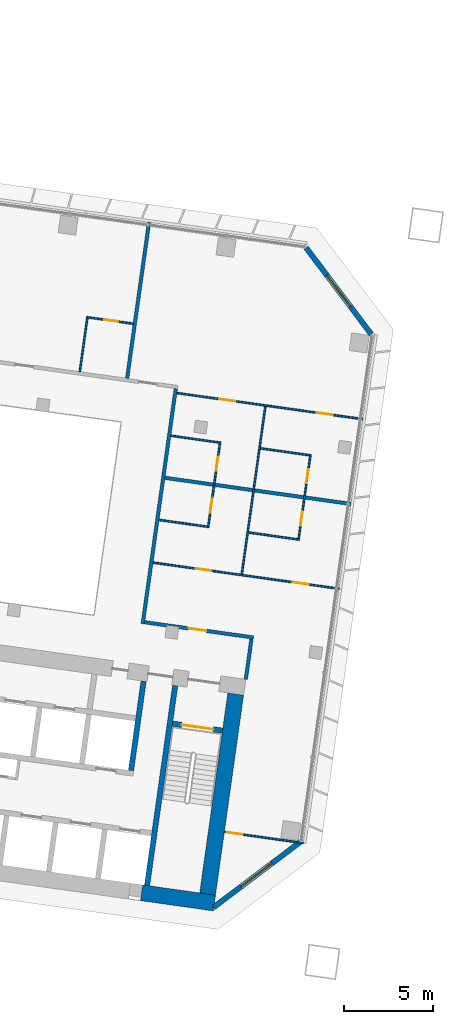
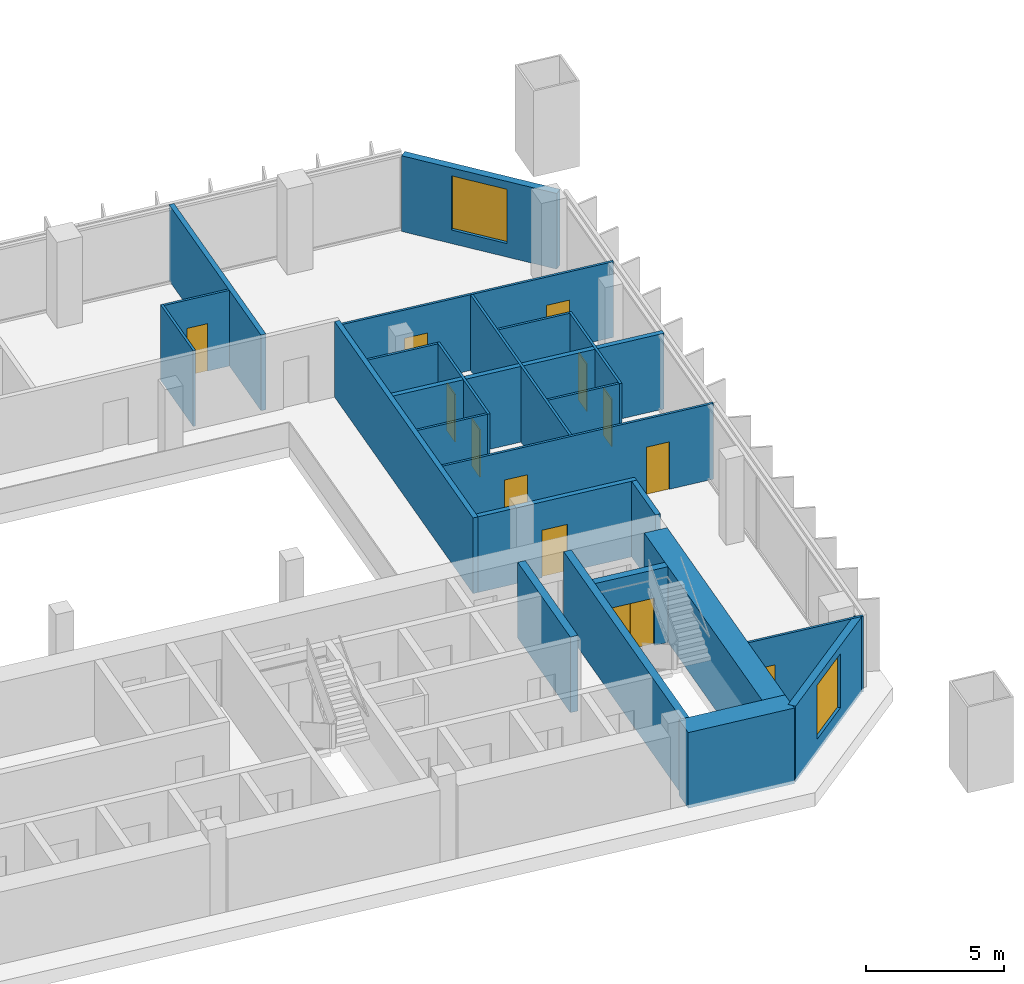
# One storey, part 17 of 24: 24 walls, 12 doors, 2 windows, 14 openings.
"""IFC4 building model written with IfcOpenShell, lengths in metres."""

from ifc_helpers import new_model, si_unit, direction, frame, frame_2d, origin, place, context, subcontext, project, spatial, rectangle, extrude, material, layer, layer_set, type_object, element, fill, save


model = new_model("IFC4")

# Units and contexts
model_context = context("Model", 3, precision=1e-05, world=origin(), true_north=direction((0.0, 1.0)))
body_context = subcontext(model_context, "Body", "Model", "MODEL_VIEW")
ifc_project = project(units=[si_unit("LENGTHUNIT", "METRE"), si_unit("AREAUNIT", "SQUARE_METRE"), si_unit("VOLUMEUNIT", "CUBIC_METRE"), si_unit("PLANEANGLEUNIT", "RADIAN"), si_unit("MASSUNIT", "GRAM", prefix="KILO")], contexts=[model_context])

# Site, building, storey
site_placement = place(None, origin())
site = spatial("IfcSite", under=ifc_project, at=site_placement, CompositionType="ELEMENT")
building_placement = place(site_placement, origin())
building = spatial("IfcBuilding", under=site, at=building_placement, Name="Mirante Cascada Hotel Towers", CompositionType="ELEMENT")
storey_placement = place(building_placement, frame((0.0, 0.0, 50.9)))
storey = spatial("IfcBuildingStorey", under=building, at=storey_placement, Name="L09", CompositionType="ELEMENT", Elevation=50.9)

# Wall, opening, door
ifc_material_1 = material(Name="Fire-rated plasterboard on metal studs")
ifc_layer_1 = layer(ifc_material_1, 0.2)
ifc_layer_set_1 = layer_set([ifc_layer_1], Name="Compartment wall 200 EI 120")
wall_type_1 = type_object("IfcWallType", Name="Compartment wall 200 EI 120", PredefinedType="PARTITIONING", material=ifc_layer_set_1)
wall_1_placement = place(storey_placement, frame((-34.8304, -4.7545, 0.0), z_axis=(0.0, 0.0, 1.0), x_axis=(-0.9902695, 0.1391629, 0.0)))
wall_1 = element("IfcWall", 1, at=wall_1_placement, inside=storey, type_object=wall_type_1, Name="Wall 1-L09-04", PredefinedType="PARTITIONING", context=body_context, shape_type="SweptSolid", body=[
    extrude(rectangle(XDim=6.1999, YDim=0.2, at=frame_2d((3.1, 0.0))), origin(), (0.0, 0.0, 1.0), 3.35),
])
opening_1_placement = place(wall_1_placement, frame((2.7, 0.0, 0.0)))
opening_1 = element("IfcOpeningElement", 2, at=opening_1_placement, cuts=wall_1, Name="Opening D1-L09-05", PredefinedType="OPENING", context=body_context, shape_type="SweptSolid", body=[
    extrude(rectangle(XDim=1.0, YDim=2.1, at=frame_2d((0.5, 1.05))), frame((0.0, 0.1, 0.0), z_axis=(0.0, -1.0, 0.0), x_axis=(1.0, 0.0, 0.0)), (0.0, 0.0, 1.0), 0.2),
])
ifc_material_2 = material(Name="Fire-rated timber door leaf", Category="wood")
door_type_1 = type_object("IfcDoorType", Name="Entrance door DG1 1000x2100 EI 60", OperationType="SINGLE_SWING_LEFT", PredefinedType="DOOR", material=ifc_material_2)
door_1_placement = place(opening_1_placement, origin())
door_1 = element("IfcDoor", 3, at=door_1_placement, inside=storey, type_object=door_type_1, Name="Door D1-L09-05", OperationType="SINGLE_SWING_LEFT", OverallHeight=2.1, OverallWidth=1.0, PredefinedType="DOOR", context=body_context, shape_type="SweptSolid", body=[
    extrude(rectangle(XDim=1.0, YDim=2.1, at=frame_2d((0.5, 1.05))), frame((0.0, 0.025, 0.0), z_axis=(0.0, -1.0, 0.0), x_axis=(1.0, 0.0, 0.0)), (0.0, 0.0, 1.0), 0.05),
])
fill(opening_1, door_1)

# Walls
wall_2_placement = place(storey_placement, frame((-39.8242, 4.2615, 0.0), z_axis=(0.0, 0.0, 1.0), x_axis=(0.9902686, -0.1391691, 0.0)))
element("IfcWall", 4, at=wall_2_placement, inside=storey, type_object=wall_type_1, Name="Wall 1-L09-11", PredefinedType="PARTITIONING", context=body_context, shape_type="SweptSolid", body=[
    extrude(rectangle(XDim=10.6001, YDim=0.2, at=frame_2d((5.3, 0.0))), origin(), (0.0, 0.0, 1.0), 3.35),
])
wall_3_placement = place(storey_placement, frame((-34.9433, -4.8397, 0.0), z_axis=(0.0, 0.0, 1.0), x_axis=(-0.1391749, -0.9902678, 0.0)))
element("IfcWall", 5, at=wall_3_placement, inside=storey, type_object=wall_type_1, Name="Wall 1-L09-29", PredefinedType="PARTITIONING", context=body_context, shape_type="SweptSolid", body=[
    extrude(rectangle(XDim=2.3, YDim=0.2, at=frame_2d((1.15, 0.0))), origin(), (0.0, 0.0, 1.0), 3.35),
])
wall_4_placement = place(storey_placement, frame((-41.083, -3.9768, 0.0), z_axis=(0.0, 0.0, 1.0), x_axis=(0.1391716, 0.9902683, 0.0)))
element("IfcWall", 6, at=wall_4_placement, inside=storey, type_object=wall_type_1, Name="Wall 1-L09-32", PredefinedType="PARTITIONING", context=body_context, shape_type="SweptSolid", body=[
    extrude(rectangle(XDim=13.4, YDim=0.2, at=frame_2d((6.7, 0.0))), origin(), (0.0, 0.0, 1.0), 3.35),
])
wall_5_placement = place(storey_placement, frame((-40.7243, 18.6939, 0.0), z_axis=(0.0, 0.0, 1.0), x_axis=(-0.1391794, -0.9902672, 0.0)))
element("IfcWall", 7, at=wall_5_placement, inside=storey, type_object=wall_type_1, Name="Wall 1-L09-33", PredefinedType="PARTITIONING", context=body_context, shape_type="SweptSolid", body=[
    extrude(rectangle(XDim=8.9, YDim=0.2, at=frame_2d((4.45, 0.0))), origin(), (0.0, 0.0, 1.0), 3.35),
])

# Wall, opening, door
ifc_material_3 = material(Name="Plasterboard on metal studs")
ifc_layer_2 = layer(ifc_material_3, 0.1)
ifc_layer_set_2 = layer_set([ifc_layer_2], Name="Partition 100")
wall_type_2 = type_object("IfcWallType", Name="Partition 100", PredefinedType="PARTITIONING", material=ifc_layer_set_2)
wall_6_placement = place(storey_placement, frame((-36.4742, -15.7326, 0.0), z_axis=(0.0, 0.0, 1.0), x_axis=(0.9902674, -0.1391779, 0.0)))
wall_6 = element("IfcWall", 8, at=wall_6_placement, inside=storey, type_object=wall_type_2, Name="Wall 1-L09-01", PredefinedType="PARTITIONING", context=body_context, shape_type="SweptSolid", body=[
    extrude(rectangle(XDim=4.5, YDim=0.1, at=frame_2d((2.25, 0.0))), origin(), (0.0, 0.0, 1.0), 3.35),
])
opening_2_placement = place(wall_6_placement, frame((0.15, 0.0, 0.0)))
opening_2 = element("IfcOpeningElement", 9, at=opening_2_placement, cuts=wall_6, Name="Opening D1-L09-01", PredefinedType="OPENING", context=body_context, shape_type="SweptSolid", body=[
    extrude(rectangle(XDim=0.9, YDim=2.1, at=frame_2d((0.45, 1.05))), frame((0.0, 0.05, 0.0), z_axis=(0.0, -1.0, 0.0), x_axis=(1.0, 0.0, 0.0)), (0.0, 0.0, 1.0), 0.1),
])
ifc_material_4 = material(Name="Timber door leaf", Category="wood")
door_type_2 = type_object("IfcDoorType", Name="Room door DG3 900x2100", OperationType="SINGLE_SWING_LEFT", PredefinedType="DOOR", material=ifc_material_4)
door_2_placement = place(opening_2_placement, origin())
door_2 = element("IfcDoor", 10, at=door_2_placement, inside=storey, type_object=door_type_2, Name="Door D1-L09-01", OperationType="SINGLE_SWING_LEFT", OverallHeight=2.1, OverallWidth=0.9, PredefinedType="DOOR", context=body_context, shape_type="SweptSolid", body=[
    extrude(rectangle(XDim=0.9, YDim=2.1, at=frame_2d((0.45, 1.05))), frame((0.0, 0.025, 0.0), z_axis=(0.0, -1.0, 0.0), x_axis=(1.0, 0.0, 0.0)), (0.0, 0.0, 1.0), 0.05),
])
fill(opening_2, door_2)

# Wall, openings, doors
wall_7_placement = place(storey_placement, frame((-40.4968, -0.5248, 0.0), z_axis=(0.0, 0.0, 1.0), x_axis=(0.9902684, -0.1391704, 0.0)))
wall_7 = element("IfcWall", 11, at=wall_7_placement, inside=storey, type_object=wall_type_2, Name="Wall 1-L09-07", PredefinedType="PARTITIONING", context=body_context, shape_type="SweptSolid", body=[
    extrude(rectangle(XDim=10.6, YDim=0.1, at=frame_2d((5.3, 0.0))), origin(), (0.0, 0.0, 1.0), 3.35),
])
opening_3_placement = place(wall_7_placement, frame((7.975, 0.0, 0.0)))
opening_3 = element("IfcOpeningElement", 12, at=opening_3_placement, cuts=wall_7, Name="Opening D1-L09-06", PredefinedType="OPENING", context=body_context, shape_type="SweptSolid", body=[
    extrude(rectangle(XDim=0.9, YDim=2.1, at=frame_2d((0.45, 1.05))), frame((0.0, 0.05, 0.0), z_axis=(0.0, -1.0, 0.0), x_axis=(1.0, 0.0, 0.0)), (0.0, 0.0, 1.0), 0.1),
])
opening_4_placement = place(wall_7_placement, frame((2.425, 0.0, 0.0)))
opening_4 = element("IfcOpeningElement", 13, at=opening_4_placement, cuts=wall_7, Name="Opening D1-L09-07", PredefinedType="OPENING", context=body_context, shape_type="SweptSolid", body=[
    extrude(rectangle(XDim=0.9, YDim=2.1, at=frame_2d((0.45, 1.05))), frame((0.0, 0.05, 0.0), z_axis=(0.0, -1.0, 0.0), x_axis=(1.0, 0.0, 0.0)), (0.0, 0.0, 1.0), 0.1),
])
door_3_placement = place(opening_3_placement, frame((0.9, 0.0, 0.0), z_axis=(0.0, 0.0, 1.0), x_axis=(-1.0, 0.0, 0.0)))
door_3 = element("IfcDoor", 14, at=door_3_placement, inside=storey, type_object=door_type_2, Name="Door D1-L09-06", OperationType="SINGLE_SWING_RIGHT", OverallHeight=2.1, OverallWidth=0.9, PredefinedType="DOOR", context=body_context, shape_type="SweptSolid", body=[
    extrude(rectangle(XDim=0.9, YDim=2.1, at=frame_2d((0.45, 1.05))), frame((0.0, 0.025, 0.0), z_axis=(0.0, -1.0, 0.0), x_axis=(1.0, 0.0, 0.0)), (0.0, 0.0, 1.0), 0.05),
])
fill(opening_3, door_3)
door_4_placement = place(opening_4_placement, frame((0.9, 0.0, 0.0), z_axis=(0.0, 0.0, 1.0), x_axis=(-1.0, 0.0, 0.0)))
door_4 = element("IfcDoor", 15, at=door_4_placement, inside=storey, type_object=door_type_2, Name="Door D1-L09-07", OperationType="SINGLE_SWING_RIGHT", OverallHeight=2.1, OverallWidth=0.9, PredefinedType="DOOR", context=body_context, shape_type="SweptSolid", body=[
    extrude(rectangle(XDim=0.9, YDim=2.1, at=frame_2d((0.45, 1.05))), frame((0.0, 0.025, 0.0), z_axis=(0.0, -1.0, 0.0), x_axis=(1.0, 0.0, 0.0)), (0.0, 0.0, 1.0), 0.05),
])
fill(opening_4, door_4)

# Walls
wall_8_placement = place(storey_placement, frame((-35.1078, 1.1751, 0.0), z_axis=(0.0, 0.0, 1.0), x_axis=(0.990267, -0.139181, 0.0)))
element("IfcWall", 16, at=wall_8_placement, inside=storey, type_object=wall_type_2, Name="Wall 1-L09-09", PredefinedType="PARTITIONING", context=body_context, shape_type="SweptSolid", body=[
    extrude(rectangle(XDim=2.8, YDim=0.1, at=frame_2d((1.4, 0.0))), origin(), (0.0, 0.0, 1.0), 3.35),
])
wall_9_placement = place(storey_placement, frame((-37.435, 1.5021, 0.0), z_axis=(0.0, 0.0, 1.0), x_axis=(-0.9902641, 0.1392013, 0.0)))
element("IfcWall", 17, at=wall_9_placement, inside=storey, type_object=wall_type_2, Name="Wall 1-L09-10", PredefinedType="PARTITIONING", context=body_context, shape_type="SweptSolid", body=[
    extrude(rectangle(XDim=2.75, YDim=0.1, at=frame_2d((1.375, 0.0))), origin(), (0.0, 0.0, 1.0), 3.35),
])
wall_10_placement = place(storey_placement, frame((-34.4398, 5.9284, 0.0), z_axis=(0.0, 0.0, 1.0), x_axis=(0.9902677, -0.139176, 0.0)))
element("IfcWall", 18, at=wall_10_placement, inside=storey, type_object=wall_type_2, Name="Wall 1-L09-13", PredefinedType="PARTITIONING", context=body_context, shape_type="SweptSolid", body=[
    extrude(rectangle(XDim=2.8001, YDim=0.1, at=frame_2d((1.4, 0.0))), origin(), (0.0, 0.0, 1.0), 3.35),
])
wall_11_placement = place(storey_placement, frame((-36.7669, 6.2554, 0.0), z_axis=(0.0, 0.0, 1.0), x_axis=(-0.9902698, 0.1391607, 0.0)))
element("IfcWall", 19, at=wall_11_placement, inside=storey, type_object=wall_type_2, Name="Wall 1-L09-14", PredefinedType="PARTITIONING", context=body_context, shape_type="SweptSolid", body=[
    extrude(rectangle(XDim=2.7501, YDim=0.1, at=frame_2d((1.3751, 0.0))), origin(), (0.0, 0.0, 1.0), 3.35),
])

# Wall, openings, doors
wall_12_placement = place(storey_placement, frame((-39.1515, 9.0479, 0.0), z_axis=(0.0, 0.0, 1.0), x_axis=(0.9902671, -0.1391797, 0.0)))
wall_12 = element("IfcWall", 20, at=wall_12_placement, inside=storey, type_object=wall_type_2, Name="Wall 1-L09-17", PredefinedType="PARTITIONING", context=body_context, shape_type="SweptSolid", body=[
    extrude(rectangle(XDim=10.6, YDim=0.1, at=frame_2d((5.3, 0.0))), origin(), (0.0, 0.0, 1.0), 3.35),
])
opening_5_placement = place(wall_12_placement, frame((7.975, 0.0, 0.0)))
opening_5 = element("IfcOpeningElement", 21, at=opening_5_placement, cuts=wall_12, Name="Opening D1-L09-08", PredefinedType="OPENING", context=body_context, shape_type="SweptSolid", body=[
    extrude(rectangle(XDim=0.9, YDim=2.1, at=frame_2d((0.45, 1.05))), frame((0.0, 0.05, 0.0), z_axis=(0.0, -1.0, 0.0), x_axis=(1.0, 0.0, 0.0)), (0.0, 0.0, 1.0), 0.1),
])
opening_6_placement = place(wall_12_placement, frame((2.425, 0.0, 0.0)))
opening_6 = element("IfcOpeningElement", 22, at=opening_6_placement, cuts=wall_12, Name="Opening D1-L09-09", PredefinedType="OPENING", context=body_context, shape_type="SweptSolid", body=[
    extrude(rectangle(XDim=0.9, YDim=2.1, at=frame_2d((0.45, 1.05))), frame((0.0, 0.05, 0.0), z_axis=(0.0, -1.0, 0.0), x_axis=(1.0, 0.0, 0.0)), (0.0, 0.0, 1.0), 0.1),
])
door_5_placement = place(opening_5_placement, origin())
door_5 = element("IfcDoor", 23, at=door_5_placement, inside=storey, type_object=door_type_2, Name="Door D1-L09-08", OperationType="SINGLE_SWING_LEFT", OverallHeight=2.1, OverallWidth=0.9, PredefinedType="DOOR", context=body_context, shape_type="SweptSolid", body=[
    extrude(rectangle(XDim=0.9, YDim=2.1, at=frame_2d((0.45, 1.05))), frame((0.0, 0.025, 0.0), z_axis=(0.0, -1.0, 0.0), x_axis=(1.0, 0.0, 0.0)), (0.0, 0.0, 1.0), 0.05),
])
fill(opening_5, door_5)
door_6_placement = place(opening_6_placement, origin())
door_6 = element("IfcDoor", 24, at=door_6_placement, inside=storey, type_object=door_type_2, Name="Door D1-L09-09", OperationType="SINGLE_SWING_LEFT", OverallHeight=2.1, OverallWidth=0.9, PredefinedType="DOOR", context=body_context, shape_type="SweptSolid", body=[
    extrude(rectangle(XDim=0.9, YDim=2.1, at=frame_2d((0.45, 1.05))), frame((0.0, 0.025, 0.0), z_axis=(0.0, -1.0, 0.0), x_axis=(1.0, 0.0, 0.0)), (0.0, 0.0, 1.0), 0.05),
])
fill(opening_6, door_6)

# Wall, opening, door
wall_13_placement = place(storey_placement, frame((-44.1557, 13.3192, 0.0), z_axis=(0.0, 0.0, 1.0), x_axis=(0.990267, -0.1391809, 0.0)))
wall_13 = element("IfcWall", 25, at=wall_13_placement, inside=storey, type_object=wall_type_2, Name="Wall 1-L09-25", PredefinedType="PARTITIONING", context=body_context, shape_type="SweptSolid", body=[
    extrude(rectangle(XDim=2.5499, YDim=0.1, at=frame_2d((1.275, 0.0))), origin(), (0.0, 0.0, 1.0), 3.35),
])
opening_7_placement = place(wall_13_placement, frame((0.9, 0.0, 0.0)))
opening_7 = element("IfcOpeningElement", 26, at=opening_7_placement, cuts=wall_13, Name="Opening D1-L09-28", PredefinedType="OPENING", context=body_context, shape_type="SweptSolid", body=[
    extrude(rectangle(XDim=0.8, YDim=2.1, at=frame_2d((0.4, 1.05))), frame((0.0, 0.05, 0.0), z_axis=(0.0, -1.0, 0.0), x_axis=(1.0, 0.0, 0.0)), (0.0, 0.0, 1.0), 0.1),
])
ifc_material_5 = material(Name="Timber door leaf", Category="wood")
door_type_3 = type_object("IfcDoorType", Name="Bathroom door DG4 800x2100", OperationType="SINGLE_SWING_LEFT", PredefinedType="DOOR", material=ifc_material_5)
door_7_placement = place(opening_7_placement, origin())
door_7 = element("IfcDoor", 27, at=door_7_placement, inside=storey, type_object=door_type_3, Name="Door D1-L09-28", OperationType="SINGLE_SWING_LEFT", OverallHeight=2.1, OverallWidth=0.8, PredefinedType="DOOR", context=body_context, shape_type="SweptSolid", body=[
    extrude(rectangle(XDim=0.8, YDim=2.1, at=frame_2d((0.4, 1.05))), frame((0.0, 0.025, 0.0), z_axis=(0.0, -1.0, 0.0), x_axis=(1.0, 0.0, 0.0)), (0.0, 0.0, 1.0), 0.05),
])
fill(opening_7, door_7)

# Wall, openings, doors
wall_14_placement = place(storey_placement, frame((-32.2925, 0.7289, 0.0), z_axis=(0.0, 0.0, 1.0), x_axis=(0.1391638, 0.9902694, 0.0)))
wall_14 = element("IfcWall", 28, at=wall_14_placement, inside=storey, type_object=wall_type_2, Name="Wall 1-L09-28", PredefinedType="PARTITIONING", context=body_context, shape_type="SweptSolid", body=[
    extrude(rectangle(XDim=4.9, YDim=0.1, at=frame_2d((2.45, 0.0))), origin(), (0.0, 0.0, 1.0), 3.35),
])
opening_8_placement = place(wall_14_placement, frame((0.85, 0.0, 0.0)))
opening_8 = element("IfcOpeningElement", 29, at=opening_8_placement, cuts=wall_14, Name="Opening D1-L09-30", PredefinedType="OPENING", context=body_context, shape_type="SweptSolid", body=[
    extrude(rectangle(XDim=0.8, YDim=2.1, at=frame_2d((0.4, 1.05))), frame((0.0, 0.05, 0.0), z_axis=(0.0, -1.0, 0.0), x_axis=(1.0, 0.0, 0.0)), (0.0, 0.0, 1.0), 0.1),
])
opening_9_placement = place(wall_14_placement, frame((3.25, 0.0, 0.0)))
opening_9 = element("IfcOpeningElement", 30, at=opening_9_placement, cuts=wall_14, Name="Opening D1-L09-31", PredefinedType="OPENING", context=body_context, shape_type="SweptSolid", body=[
    extrude(rectangle(XDim=0.8, YDim=2.1, at=frame_2d((0.4, 1.05))), frame((0.0, 0.05, 0.0), z_axis=(0.0, -1.0, 0.0), x_axis=(1.0, 0.0, 0.0)), (0.0, 0.0, 1.0), 0.1),
])
door_8_placement = place(opening_8_placement, origin())
door_8 = element("IfcDoor", 31, at=door_8_placement, inside=storey, type_object=door_type_3, Name="Door D1-L09-30", OperationType="SINGLE_SWING_LEFT", OverallHeight=2.1, OverallWidth=0.8, PredefinedType="DOOR", context=body_context, shape_type="SweptSolid", body=[
    extrude(rectangle(XDim=0.8, YDim=2.1, at=frame_2d((0.4, 1.05))), frame((0.0, 0.025, 0.0), z_axis=(0.0, -1.0, 0.0), x_axis=(1.0, 0.0, 0.0)), (0.0, 0.0, 1.0), 0.05),
])
fill(opening_8, door_8)
door_9_placement = place(opening_9_placement, origin())
door_9 = element("IfcDoor", 32, at=door_9_placement, inside=storey, type_object=door_type_3, Name="Door D1-L09-31", OperationType="SINGLE_SWING_LEFT", OverallHeight=2.1, OverallWidth=0.8, PredefinedType="DOOR", context=body_context, shape_type="SweptSolid", body=[
    extrude(rectangle(XDim=0.8, YDim=2.1, at=frame_2d((0.4, 1.05))), frame((0.0, 0.025, 0.0), z_axis=(0.0, -1.0, 0.0), x_axis=(1.0, 0.0, 0.0)), (0.0, 0.0, 1.0), 0.05),
])
fill(opening_9, door_9)

# Wall
wall_15_placement = place(storey_placement, frame((-35.489, -1.1781, 0.0), z_axis=(0.0, 0.0, 1.0), x_axis=(0.1391703, 0.9902685, 0.0)))
element("IfcWall", 33, at=wall_15_placement, inside=storey, type_object=wall_type_2, Name="Wall 1-L09-30", PredefinedType="PARTITIONING", context=body_context, shape_type="SweptSolid", body=[
    extrude(rectangle(XDim=9.5667, YDim=0.1, at=frame_2d((4.7834, 0.0))), origin(), (0.0, 0.0, 1.0), 3.35),
])

# Wall, openings, doors
wall_16_placement = place(storey_placement, frame((-36.7105, 6.298, 0.0), z_axis=(0.0, 0.0, 1.0), x_axis=(-0.1391638, -0.9902694, 0.0)))
wall_16 = element("IfcWall", 34, at=wall_16_placement, inside=storey, type_object=wall_type_2, Name="Wall 1-L09-31", PredefinedType="PARTITIONING", context=body_context, shape_type="SweptSolid", body=[
    extrude(rectangle(XDim=4.9, YDim=0.1, at=frame_2d((2.45, 0.0))), origin(), (0.0, 0.0, 1.0), 3.35),
])
opening_10_placement = place(wall_16_placement, frame((3.25, 0.0, 0.0)))
opening_10 = element("IfcOpeningElement", 35, at=opening_10_placement, cuts=wall_16, Name="Opening D1-L09-32", PredefinedType="OPENING", context=body_context, shape_type="SweptSolid", body=[
    extrude(rectangle(XDim=0.8, YDim=2.1, at=frame_2d((0.4, 1.05))), frame((0.0, 0.05, 0.0), z_axis=(0.0, -1.0, 0.0), x_axis=(1.0, 0.0, 0.0)), (0.0, 0.0, 1.0), 0.1),
])
opening_11_placement = place(wall_16_placement, frame((0.85, 0.0, 0.0)))
opening_11 = element("IfcOpeningElement", 36, at=opening_11_placement, cuts=wall_16, Name="Opening D1-L09-33", PredefinedType="OPENING", context=body_context, shape_type="SweptSolid", body=[
    extrude(rectangle(XDim=0.8, YDim=2.1, at=frame_2d((0.4, 1.05))), frame((0.0, 0.05, 0.0), z_axis=(0.0, -1.0, 0.0), x_axis=(1.0, 0.0, 0.0)), (0.0, 0.0, 1.0), 0.1),
])
door_10_placement = place(opening_10_placement, frame((0.8, 0.0, 0.0), z_axis=(0.0, 0.0, 1.0), x_axis=(-1.0, 0.0, 0.0)))
door_10 = element("IfcDoor", 37, at=door_10_placement, inside=storey, type_object=door_type_3, Name="Door D1-L09-32", OperationType="SINGLE_SWING_RIGHT", OverallHeight=2.1, OverallWidth=0.8, PredefinedType="DOOR", context=body_context, shape_type="SweptSolid", body=[
    extrude(rectangle(XDim=0.8, YDim=2.1, at=frame_2d((0.4, 1.05))), frame((0.0, 0.025, 0.0), z_axis=(0.0, -1.0, 0.0), x_axis=(1.0, 0.0, 0.0)), (0.0, 0.0, 1.0), 0.05),
])
fill(opening_10, door_10)
door_11_placement = place(opening_11_placement, frame((0.8, 0.0, 0.0), z_axis=(0.0, 0.0, 1.0), x_axis=(-1.0, 0.0, 0.0)))
door_11 = element("IfcDoor", 38, at=door_11_placement, inside=storey, type_object=door_type_3, Name="Door D1-L09-33", OperationType="SINGLE_SWING_RIGHT", OverallHeight=2.1, OverallWidth=0.8, PredefinedType="DOOR", context=body_context, shape_type="SweptSolid", body=[
    extrude(rectangle(XDim=0.8, YDim=2.1, at=frame_2d((0.4, 1.05))), frame((0.0, 0.025, 0.0), z_axis=(0.0, -1.0, 0.0), x_axis=(1.0, 0.0, 0.0)), (0.0, 0.0, 1.0), 0.05),
])
fill(opening_11, door_11)

# Wall
wall_17_placement = place(storey_placement, frame((-44.6367, 10.2563, 0.0), z_axis=(0.0, 0.0, 1.0), x_axis=(0.1391721, 0.9902682, 0.0)))
element("IfcWall", 39, at=wall_17_placement, inside=storey, type_object=wall_type_2, Name="Wall 1-L09-34", PredefinedType="PARTITIONING", context=body_context, shape_type="SweptSolid", body=[
    extrude(rectangle(XDim=3.1501, YDim=0.1, at=frame_2d((1.575, 0.0))), origin(), (0.0, 0.0, 1.0), 3.35),
])

# Wall, opening, window
ifc_material_6 = material(Name="Precast concrete C40/50", Category="concrete")
ifc_layer_3 = layer(ifc_material_6, 0.3)
ifc_layer_set_3 = layer_set([ifc_layer_3], Name="Precast concrete C40/50 cladding wall 300")
wall_type_3 = type_object("IfcWallType", Name="Precast concrete C40/50 cladding wall 300", PredefinedType="STANDARD", material=ifc_layer_set_3)
wall_18_placement = place(storey_placement, frame((-31.857, 17.252, 0.0), z_axis=(0.0, 0.0, 1.0), x_axis=(0.6018141, -0.7986362, 0.0)))
wall_18 = element("IfcWall", 40, at=wall_18_placement, inside=storey, type_object=wall_type_3, Name="Corner cladding wall T1 L09 front inner", PredefinedType="STANDARD", context=body_context, shape_type="SweptSolid", body=[
    extrude(rectangle(XDim=6.1157, YDim=0.3, at=frame_2d((3.0578, 0.0))), origin(), (0.0, 0.0, 1.0), 3.35),
])
opening_12_placement = place(wall_18_placement, frame((1.9578, 0.0, 0.6)))
opening_12 = element("IfcOpeningElement", 41, at=opening_12_placement, cuts=wall_18, Name="Opening W1-09-04", PredefinedType="OPENING", context=body_context, shape_type="SweptSolid", body=[
    extrude(rectangle(XDim=2.2, YDim=2.4, at=frame_2d((1.1, 1.2))), frame((0.0, 0.15, 0.0), z_axis=(0.0, -1.0, 0.0), x_axis=(1.0, 0.0, 0.0)), (0.0, 0.0, 1.0), 0.3),
])
ifc_material_7 = material(Name="Aluminium frame with clear double glazing", Category="aluminium")
window_type = type_object("IfcWindowType", Name="Corner suite window 2200x2400", PartitioningType="DOUBLE_PANEL_VERTICAL", PredefinedType="WINDOW", material=ifc_material_7)
window_1_placement = place(opening_12_placement, origin())
window_1 = element("IfcWindow", 42, at=window_1_placement, inside=storey, type_object=window_type, Name="Window W1-09-04", OverallHeight=2.4, OverallWidth=2.2, PartitioningType="SINGLE_PANEL", PredefinedType="WINDOW", context=body_context, shape_type="SweptSolid", body=[
    extrude(rectangle(XDim=2.2, YDim=2.4, at=frame_2d((1.1, 1.2))), frame((0.0, 0.03, 0.0), z_axis=(0.0, -1.0, 0.0), x_axis=(1.0, 0.0, 0.0)), (0.0, 0.0, 1.0), 0.06),
])
fill(opening_12, window_1)

wall_19_placement = place(storey_placement, frame((-32.2074, -16.3138, 0.0), z_axis=(0.0, 0.0, 1.0), x_axis=(-0.7986362, -0.6018141, 0.0)))
wall_19 = element("IfcWall", 43, at=wall_19_placement, inside=storey, type_object=wall_type_3, Name="Corner cladding wall T1 L09 inner rear", PredefinedType="STANDARD", context=body_context, shape_type="SweptSolid", body=[
    extrude(rectangle(XDim=6.1157, YDim=0.3, at=frame_2d((3.0578, 0.0))), origin(), (0.0, 0.0, 1.0), 3.35),
])
opening_13_placement = place(wall_19_placement, frame((1.9578, 0.0, 0.6)))
opening_13 = element("IfcOpeningElement", 44, at=opening_13_placement, cuts=wall_19, Name="Opening W1-09-05", PredefinedType="OPENING", context=body_context, shape_type="SweptSolid", body=[
    extrude(rectangle(XDim=2.2, YDim=2.4, at=frame_2d((1.1, 1.2))), frame((0.0, 0.15, 0.0), z_axis=(0.0, -1.0, 0.0), x_axis=(1.0, 0.0, 0.0)), (0.0, 0.0, 1.0), 0.3),
])
window_2_placement = place(opening_13_placement, origin())
window_2 = element("IfcWindow", 45, at=window_2_placement, inside=storey, type_object=window_type, Name="Window W1-09-05", OverallHeight=2.4, OverallWidth=2.2, PartitioningType="SINGLE_PANEL", PredefinedType="WINDOW", context=body_context, shape_type="SweptSolid", body=[
    extrude(rectangle(XDim=2.2, YDim=2.4, at=frame_2d((1.1, 1.2))), frame((0.0, 0.03, 0.0), z_axis=(0.0, -1.0, 0.0), x_axis=(1.0, 0.0, 0.0)), (0.0, 0.0, 1.0), 0.06),
])
fill(opening_13, window_2)

# Wall
ifc_material_8 = material(Name="Concrete C50/60", Category="concrete")
ifc_layer_4 = layer(ifc_material_8, 0.3)
ifc_layer_set_4 = layer_set([ifc_layer_4], Name="RC core wall 300 C50/60")
wall_type_4 = type_object("IfcWallType", Name="RC core wall 300 C50/60", PredefinedType="SHEAR", material=ifc_layer_set_4)
wall_20_placement = place(storey_placement, frame((-40.8373, -18.7548, 0.0), z_axis=(0.0, 0.0, 1.0), x_axis=(0.1391749, 0.9902678, 0.0)))
element("IfcWall", 46, at=wall_20_placement, inside=storey, type_object=wall_type_4, Name="Core wall T1:L09:5", PredefinedType="SHEAR", context=body_context, shape_type="SweptSolid", body=[
    extrude(rectangle(XDim=11.4, YDim=0.3, at=frame_2d((5.7, 0.0))), origin(), (0.0, 0.0, 1.0), 3.35),
])

# Wall, opening, door
wall_21_placement = place(storey_placement, frame((-36.5791, -10.0123, 0.0), z_axis=(0.0, 0.0, 1.0), x_axis=(-0.9902704, 0.1391564, 0.0)))
wall_21 = element("IfcWall", 47, at=wall_21_placement, inside=storey, type_object=wall_type_4, Name="Core wall T1:L09:9", PredefinedType="SHEAR", context=body_context, shape_type="SweptSolid", body=[
    extrude(rectangle(XDim=2.85, YDim=0.3, at=frame_2d((1.425, 0.0))), origin(), (0.0, 0.0, 1.0), 3.35),
])
opening_14_placement = place(wall_21_placement, frame((0.525, 0.0, 0.0)))
opening_14 = element("IfcOpeningElement", 48, at=opening_14_placement, cuts=wall_21, Name="Opening D1-09-C13", PredefinedType="OPENING", context=body_context, shape_type="SweptSolid", body=[
    extrude(rectangle(XDim=1.8, YDim=2.1, at=frame_2d((0.9, 1.05))), frame((0.0, 0.15, 0.0), z_axis=(0.0, -1.0, 0.0), x_axis=(1.0, 0.0, 0.0)), (0.0, 0.0, 1.0), 0.3),
])
ifc_material_9 = material(Name="Hollow metal fire door leaf")
door_type_4 = type_object("IfcDoorType", Name="Double fire door 1800x2100 FD60", OperationType="DOUBLE_DOOR_SINGLE_SWING", PredefinedType="DOOR", material=ifc_material_9)
door_12_placement = place(opening_14_placement, origin())
door_12 = element("IfcDoor", 49, at=door_12_placement, inside=storey, type_object=door_type_4, Name="Stair door T1 L09 13", OperationType="DOUBLE_DOOR_SINGLE_SWING", OverallHeight=2.1, OverallWidth=1.8, PredefinedType="DOOR", context=body_context, shape_type="SweptSolid", body=[
    extrude(rectangle(XDim=0.895, YDim=2.1, at=frame_2d((0.4475, 1.05))), frame((0.0, 0.025, 0.0), z_axis=(0.0, -1.0, 0.0), x_axis=(1.0, 0.0, 0.0)), (0.0, 0.0, 1.0), 0.05),
    extrude(rectangle(XDim=0.895, YDim=2.1, at=frame_2d((1.3525, 1.05))), frame((0.0, 0.025, 0.0), z_axis=(0.0, -1.0, 0.0), x_axis=(1.0, 0.0, 0.0)), (0.0, 0.0, 1.0), 0.05),
])
fill(opening_14, door_12)

# Walls
wall_22_placement = place(storey_placement, frame((-41.743, -12.2656, 0.0), z_axis=(0.0, 0.0, 1.0), x_axis=(0.1391755, 0.9902677, 0.0)))
element("IfcWall", 50, at=wall_22_placement, inside=storey, type_object=wall_type_4, Name="Core wall T1:L09:20", PredefinedType="SHEAR", context=body_context, shape_type="SweptSolid", body=[
    extrude(rectangle(XDim=5.1, YDim=0.3, at=frame_2d((2.55, 0.0))), origin(), (0.0, 0.0, 1.0), 3.35),
])
ifc_material_10 = material(Name="Concrete C50/60", Category="concrete")
ifc_layer_5 = layer(ifc_material_10, 0.9)
ifc_layer_set_5 = layer_set([ifc_layer_5], Name="RC core wall 900 C50/60")
wall_type_5 = type_object("IfcWallType", Name="RC core wall 900 C50/60", PredefinedType="SHEAR", material=ifc_layer_set_5)
wall_23_placement = place(storey_placement, frame((-37.0379, -19.7432, 0.0), z_axis=(0.0, 0.0, 1.0), x_axis=(-0.990267, 0.139181, 0.0)))
element("IfcWall", 51, at=wall_23_placement, inside=storey, type_object=wall_type_5, Name="Core wall T1:L09:1.1", PredefinedType="SHEAR", context=body_context, shape_type="SweptSolid", body=[
    extrude(rectangle(XDim=4.15, YDim=0.9, at=frame_2d((2.075, 0.0))), origin(), (0.0, 0.0, 1.0), 3.35),
])
wall_24_placement = place(storey_placement, frame((-37.4209, -19.2349, 0.0), z_axis=(0.0, 0.0, 1.0), x_axis=(0.1391761, 0.9902677, 0.0)))
element("IfcWall", 52, at=wall_24_placement, inside=storey, type_object=wall_type_5, Name="Core wall T1:L09:3", PredefinedType="SHEAR", context=body_context, shape_type="SweptSolid", body=[
    extrude(rectangle(XDim=11.3999, YDim=0.9, at=frame_2d((5.7, 0.0))), origin(), (0.0, 0.0, 1.0), 3.35),
])

save(model, "model.ifc")
